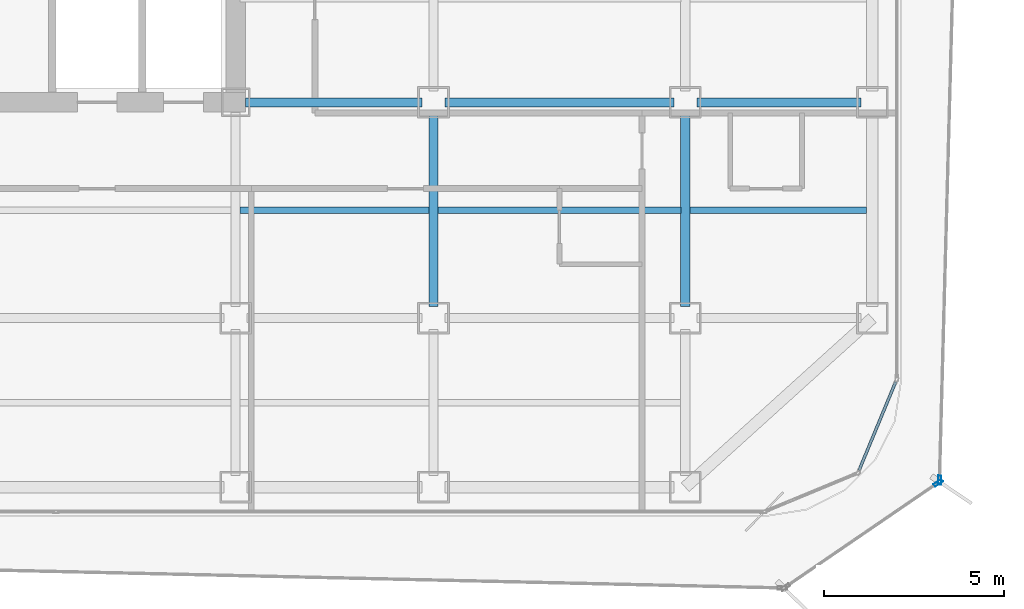
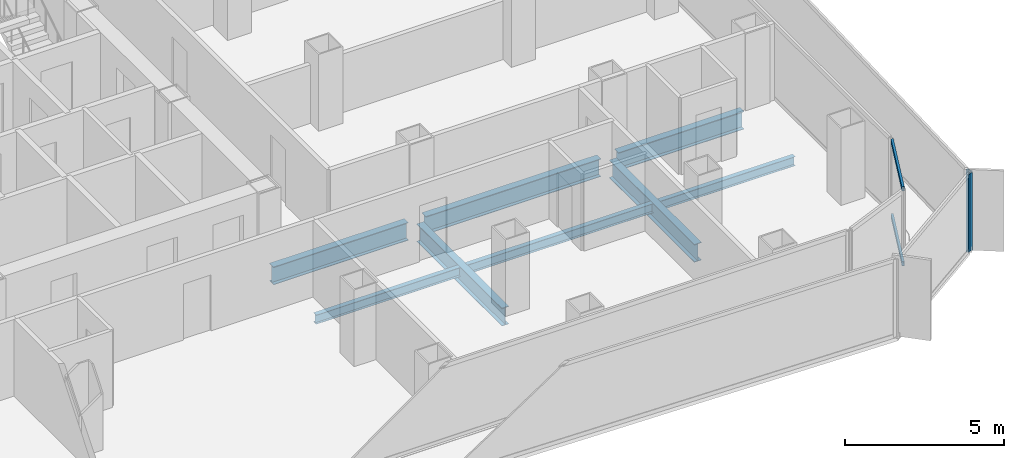
# One storey, part 7 of 21: 8 beams, 4 members, 3 elements without a shape of their own.
"""IFC4 building model written with IfcOpenShell, lengths in metres."""

from ifc_helpers import new_model, si_unit, direction, frame, origin, origin_2d, place, context, subcontext, project, spatial, hollow_rectangle, i_section, extrude, source, transform, mapped, material, layer, layer_set, material_profile, profile_set, type_object, element, aggregate, save


model = new_model("IFC4")

# Units and contexts
model_context = context("Model", 3, precision=1e-05, world=origin(), true_north=direction((0.0, 1.0)))
body_context = subcontext(model_context, "Body", "Model", "MODEL_VIEW")
ifc_project = project(units=[si_unit("LENGTHUNIT", "METRE"), si_unit("AREAUNIT", "SQUARE_METRE"), si_unit("VOLUMEUNIT", "CUBIC_METRE"), si_unit("PLANEANGLEUNIT", "RADIAN"), si_unit("MASSUNIT", "GRAM", prefix="KILO")], contexts=[model_context])

# Site, building, storey
site_placement = place(None, origin())
site = spatial("IfcSite", under=ifc_project, at=site_placement, CompositionType="ELEMENT")
building_placement = place(site_placement, origin())
building = spatial("IfcBuilding", under=site, at=building_placement, Name="Kolveth Station Tower", CompositionType="ELEMENT")
storey_placement = place(building_placement, frame((0.0, 0.0, 118.300048828125)))
storey = spatial("IfcBuildingStorey", under=building, at=storey_placement, Name="L32", CompositionType="ELEMENT", Elevation=118.300048828125)

# Beams
ifc_material_1 = material(Name="Steel S355", Category="steel")
ifc_material_profile_1 = material_profile(ifc_material_1, i_section(OverallWidth=0.25390625, OverallDepth=0.68798828125, WebThickness=0.01318359375, FlangeThickness=0.02099609375, at=origin_2d()), Name="W690x152")
ifc_profile_set_1 = profile_set([ifc_material_profile_1], Name="Steel S355")
beam_type_1 = type_object("IfcBeamType", Name="Beam_B4", PredefinedType="BEAM", material=ifc_profile_set_1)
shared_shape_1 = source(origin(), body_context, "Body", "SweptSolid", [
    extrude(i_section(OverallWidth=0.25390625, OverallDepth=0.68798828125, WebThickness=0.01318359375, FlangeThickness=0.02099609375, at=origin_2d()), origin(), (0.0, 0.0, 1.0), 4.559814453125),
])
beam_1_placement = place(storey_placement, frame((41.320068359375, 11.5, -0.593994140625), z_axis=(1.0, 0.0, 0.0), x_axis=(0.0, 1.0, 0.0)))
element("IfcBeam", 1, at=beam_1_placement, inside=storey, type_object=beam_type_1, Name="L32 Primary Girder BM-L32-GY115-7", PredefinedType="BEAM", context=body_context, shape_type="MappedRepresentation", body=[
    mapped(shared_shape_1, transform((0.0, 0.0, 0.0), x_axis=(1.0, 0.0, 0.0), y_axis=(0.0, 1.0, 0.0), z_axis=(0.0, 0.0, 1.0), scale=1.0)),
])
shared_shape_2 = source(origin(), body_context, "Body", "SweptSolid", [
    extrude(i_section(OverallWidth=0.25390625, OverallDepth=0.68798828125, WebThickness=0.01318359375, FlangeThickness=0.02099609375, at=origin_2d()), origin(), (0.0, 0.0, 1.0), 6.35986328125),
])
beam_2_placement = place(storey_placement, frame((34.320068359375, 11.5, -0.593994140625), z_axis=(1.0, 0.0, 0.0), x_axis=(0.0, 1.0, 0.0)))
element("IfcBeam", 2, at=beam_2_placement, inside=storey, type_object=beam_type_1, Name="L32 Primary Girder BM-L32-GY115-6", PredefinedType="BEAM", context=body_context, shape_type="MappedRepresentation", body=[
    mapped(shared_shape_2, transform((0.0, 0.0, 0.0), x_axis=(1.0, 0.0, 0.0), y_axis=(0.0, 1.0, 0.0), z_axis=(0.0, 0.0, 1.0), scale=1.0)),
])
shared_shape_3 = source(origin(), body_context, "Body", "SweptSolid", [
    extrude(i_section(OverallWidth=0.25390625, OverallDepth=0.68798828125, WebThickness=0.01318359375, FlangeThickness=0.02099609375, at=origin_2d()), origin(), (0.0, 0.0, 1.0), 4.89990234375),
])
beam_3_placement = place(storey_placement, frame((28.780029296875, 11.5, -0.593994140625), z_axis=(1.0, 0.0, 0.0), x_axis=(0.0, 1.0, 0.0)))
element("IfcBeam", 3, at=beam_3_placement, inside=storey, type_object=beam_type_1, Name="L32 Primary Girder BM-L32-GY115-5", PredefinedType="BEAM", context=body_context, shape_type="MappedRepresentation", body=[
    mapped(shared_shape_3, transform((0.0, 0.0, 0.0), x_axis=(1.0, 0.0, 0.0), y_axis=(0.0, 1.0, 0.0), z_axis=(0.0, 0.0, 1.0), scale=1.0)),
])
shared_shape_4 = source(origin(), body_context, "Body", "SweptSolid", [
    extrude(i_section(OverallWidth=0.25390625, OverallDepth=0.68798828125, WebThickness=0.01318359375, FlangeThickness=0.02099609375, at=origin_2d()), origin(), (0.0, 0.0, 1.0), 5.35986328125),
])
for number, where, z_axis, x_axis, name in (
    (4, (34.0, 5.820068359375, -0.593994140625), (0.0, 1.0, 0.0), (-1.0, 0.0, 0.0), "L32 Primary Girder BM-L32-GX340-2"),
    (5, (41.0, 5.820068359375, -0.593994140625), (0.0, 1.0, 0.0), (-1.0, 0.0, 0.0), "L32 Primary Girder BM-L32-GX410-2"),
):
    element("IfcBeam", number, at=place(storey_placement, frame(where, z_axis=z_axis, x_axis=x_axis)), inside=storey, type_object=beam_type_1, Name=name, PredefinedType="BEAM", context=body_context, shape_type="MappedRepresentation", body=[
        mapped(shared_shape_4, transform((0.0, 0.0, 0.0), x_axis=(1.0, 0.0, 0.0), y_axis=(0.0, 1.0, 0.0), z_axis=(0.0, 0.0, 1.0), scale=1.0)),
    ])
ifc_material_profile_2 = material_profile(ifc_material_1, i_section(OverallWidth=0.1708984375, OverallDepth=0.35205078125, WebThickness=0.0068359375, FlangeThickness=0.009765625, at=origin_2d()), Name="W360x44")
ifc_profile_set_2 = profile_set([ifc_material_profile_2], Name="Steel S355")
beam_type_2 = type_object("IfcBeamType", Name="Beam_J2", PredefinedType="JOIST", material=ifc_profile_set_2)
shared_shape_5 = source(origin(), body_context, "Body", "SweptSolid", [
    extrude(i_section(OverallWidth=0.1708984375, OverallDepth=0.35205078125, WebThickness=0.0068359375, FlangeThickness=0.009765625, at=origin_2d()), origin(), (0.0, 0.0, 1.0), 4.9150390625),
])
beam_4_placement = place(storey_placement, frame((41.125, 8.5, -0.426025390625), z_axis=(1.0, 0.0, 0.0), x_axis=(0.0, 1.0, 0.0)))
element("IfcBeam", 6, at=beam_4_placement, inside=storey, type_object=beam_type_2, Name="L32 Secondary Joist JST-L32-7-2", PredefinedType="JOIST", context=body_context, shape_type="MappedRepresentation", body=[
    mapped(shared_shape_5, transform((0.0, 0.0, 0.0), x_axis=(1.0, 0.0, 0.0), y_axis=(0.0, 1.0, 0.0), z_axis=(0.0, 0.0, 1.0), scale=1.0)),
])
shared_shape_6 = source(origin(), body_context, "Body", "SweptSolid", [
    extrude(i_section(OverallWidth=0.1708984375, OverallDepth=0.35205078125, WebThickness=0.0068359375, FlangeThickness=0.009765625, at=origin_2d()), origin(), (0.0, 0.0, 1.0), 6.75),
])
beam_5_placement = place(storey_placement, frame((34.125, 8.5, -0.426025390625), z_axis=(1.0, 0.0, 0.0), x_axis=(0.0, 1.0, 0.0)))
element("IfcBeam", 7, at=beam_5_placement, inside=storey, type_object=beam_type_2, Name="L32 Secondary Joist JST-L32-6-2", PredefinedType="JOIST", context=body_context, shape_type="MappedRepresentation", body=[
    mapped(shared_shape_6, transform((0.0, 0.0, 0.0), x_axis=(1.0, 0.0, 0.0), y_axis=(0.0, 1.0, 0.0), z_axis=(0.0, 0.0, 1.0), scale=1.0)),
])
shared_shape_7 = source(origin(), body_context, "Body", "SweptSolid", [
    extrude(i_section(OverallWidth=0.1708984375, OverallDepth=0.35205078125, WebThickness=0.0068359375, FlangeThickness=0.009765625, at=origin_2d()), origin(), (0.0, 0.0, 1.0), 5.25),
])
beam_6_placement = place(storey_placement, frame((28.625, 8.5, -0.426025390625), z_axis=(1.0, 0.0, 0.0), x_axis=(0.0, 1.0, 0.0)))
element("IfcBeam", 8, at=beam_6_placement, inside=storey, type_object=beam_type_2, Name="L32 Secondary Joist JST-L32-5-2", PredefinedType="JOIST", context=body_context, shape_type="MappedRepresentation", body=[
    mapped(shared_shape_7, transform((0.0, 0.0, 0.0), x_axis=(1.0, 0.0, 0.0), y_axis=(0.0, 1.0, 0.0), z_axis=(0.0, 0.0, 1.0), scale=1.0)),
])

# Curtain wall, members
ifc_material_2 = material(Name="Aluminium 6063-T6 and low-E dark glass", Category="aluminium")
ifc_layer_1 = layer(ifc_material_2, 0.18994140625)
ifc_layer_set_1 = layer_set([ifc_layer_1], Name="Aluminium 6063-T6 and low-E dark glass")
curtain_wall_type_1 = type_object("IfcCurtainWallType", Name="CurtainWall_CW-Z2", PredefinedType="NOTDEFINED", material=ifc_layer_set_1)
curtain_wall_1_placement = place(storey_placement, origin())
curtain_wall_1 = element("IfcCurtainWall", 9, at=curtain_wall_1_placement, inside=storey, type_object=curtain_wall_type_1, Name="L32 Inner Thermal Curtain Wall 2", PredefinedType="NOTDEFINED")
ifc_material_3 = material(Name="Black anodized aluminium 6063-T6", Category="aluminium")
ifc_material_profile_3 = material_profile(ifc_material_3, hollow_rectangle(XDim=0.080078125, YDim=0.169921875, WallThickness=0.0048828125, at=origin_2d()), Name="ALU-80x170x5")
ifc_profile_set_3 = profile_set([ifc_material_profile_3], Name="Black anodized aluminium 6063-T6")
member_type_1 = type_object("IfcMemberType", Name="Transom_TR2", PredefinedType="USERDEFINED", material=ifc_profile_set_3)
shared_shape_8 = source(origin(), body_context, "Body", "SweptSolid", [
    extrude(hollow_rectangle(XDim=0.080078125, YDim=0.169921875, WallThickness=0.0048828125, at=origin_2d()), origin(), (0.0, 0.0, 1.0), 2.656494140625),
])
member_1_placement = place(storey_placement, frame((45.832763671875, 1.271728515625, 0.0400390625), z_axis=(0.382676455475, 0.923882422403, 0.0), x_axis=(-0.923882422403, 0.382676455475, 0.0)))
member_1 = element("IfcMember", 10, at=member_1_placement, type_object=member_type_1, Name="CW-Z2 transom 1.1", ObjectType="TRANSOM", PredefinedType="USERDEFINED", context=body_context, shape_type="MappedRepresentation", body=[
    mapped(shared_shape_8, transform((0.0, 0.0, 0.0), x_axis=(1.0, 0.0, 0.0), y_axis=(0.0, 1.0, 0.0), z_axis=(0.0, 0.0, 1.0), scale=1.0)),
])
member_2_placement = place(storey_placement, frame((45.832763671875, 1.271728515625, 2.909912109375), z_axis=(0.382676455475, 0.923882422403, 0.0), x_axis=(-0.923882422403, 0.382676455475, 0.0)))
member_2 = element("IfcMember", 11, at=member_2_placement, type_object=member_type_1, Name="CW-Z2 transom 1.2", ObjectType="TRANSOM", PredefinedType="USERDEFINED", context=body_context, shape_type="MappedRepresentation", body=[
    mapped(shared_shape_8, transform((0.0, 0.0, 0.0), x_axis=(1.0, 0.0, 0.0), y_axis=(0.0, 1.0, 0.0), z_axis=(0.0, 0.0, 1.0), scale=1.0)),
])
aggregate(curtain_wall_1, [member_1, member_2])

# Curtain wall, member
ifc_material_4 = material(Name="Black anodized aluminium 6063-T6 and dark solar glass", Category="aluminium")
ifc_layer_2 = layer(ifc_material_4, 0.159912109375)
ifc_layer_set_2 = layer_set([ifc_layer_2], Name="Black anodized aluminium 6063-T6 and dark solar glass")
curtain_wall_type_2 = type_object("IfcCurtainWallType", Name="OUTER SKIN CW-OS", PredefinedType="NOTDEFINED", material=ifc_layer_set_2)
curtain_wall_2_placement = place(storey_placement, origin())
curtain_wall_2 = element("IfcCurtainWall", 12, at=curtain_wall_2_placement, inside=storey, type_object=curtain_wall_type_2, Name="L32 Outer Ventilated Skin Curtain Wall 1", PredefinedType="NOTDEFINED")
ifc_material_profile_4 = material_profile(ifc_material_3, hollow_rectangle(XDim=0.090087890625, YDim=0.260009765625, WallThickness=0.0048828125, at=origin_2d()), Name="ALU-90x260x5")
ifc_profile_set_4 = profile_set([ifc_material_profile_4], Name="Black anodized aluminium 6063-T6")
member_type_2 = type_object("IfcMemberType", Name="FIN MULLION ML-OS", PredefinedType="MULLION", material=ifc_profile_set_4)
shared_shape_9 = source(origin(), body_context, "Body", "SweptSolid", [
    extrude(hollow_rectangle(XDim=0.090087890625, YDim=0.260009765625, WallThickness=0.0048828125, at=origin_2d()), origin(), (0.0, 0.0, 1.0), 2.989990234375),
])
member_3_placement = place(storey_placement, frame((48.033935546875, 0.92431640625, 0.0), z_axis=(0.0, 0.0, 1.0), x_axis=(-0.564304782601, 0.825566540221, 0.0)))
member_3 = element("IfcMember", 13, at=member_3_placement, type_object=member_type_2, Name="CW-OS mullion 2", PredefinedType="MULLION", context=body_context, shape_type="MappedRepresentation", body=[
    mapped(shared_shape_9, transform((0.0, 0.0, 0.0), x_axis=(1.0, 0.0, 0.0), y_axis=(0.0, 1.0, 0.0), z_axis=(0.0, 0.0, 1.0), scale=1.0)),
])
aggregate(curtain_wall_2, [member_3])

curtain_wall_3_placement = place(storey_placement, origin())
curtain_wall_3 = element("IfcCurtainWall", 14, at=curtain_wall_3_placement, inside=storey, type_object=curtain_wall_type_2, Name="L32 Outer Ventilated Skin Curtain Wall 2", PredefinedType="NOTDEFINED")
member_4_placement = place(storey_placement, frame((48.072265625, 0.99462890625, 0.0), z_axis=(0.0, 0.0, 1.0), x_axis=(-0.999639935949, 0.026832786952, 0.0)))
member_4 = element("IfcMember", 15, at=member_4_placement, type_object=member_type_2, Name="CW-OS mullion 1", PredefinedType="MULLION", context=body_context, shape_type="MappedRepresentation", body=[
    mapped(shared_shape_9, transform((0.0, 0.0, 0.0), x_axis=(1.0, 0.0, 0.0), y_axis=(0.0, 1.0, 0.0), z_axis=(0.0, 0.0, 1.0), scale=1.0)),
])
aggregate(curtain_wall_3, [member_4])

save(model, "model.ifc")
